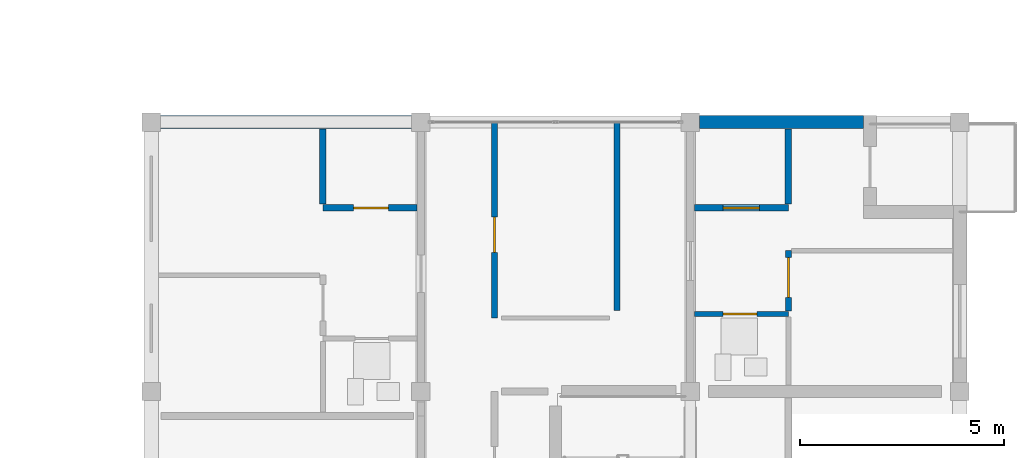
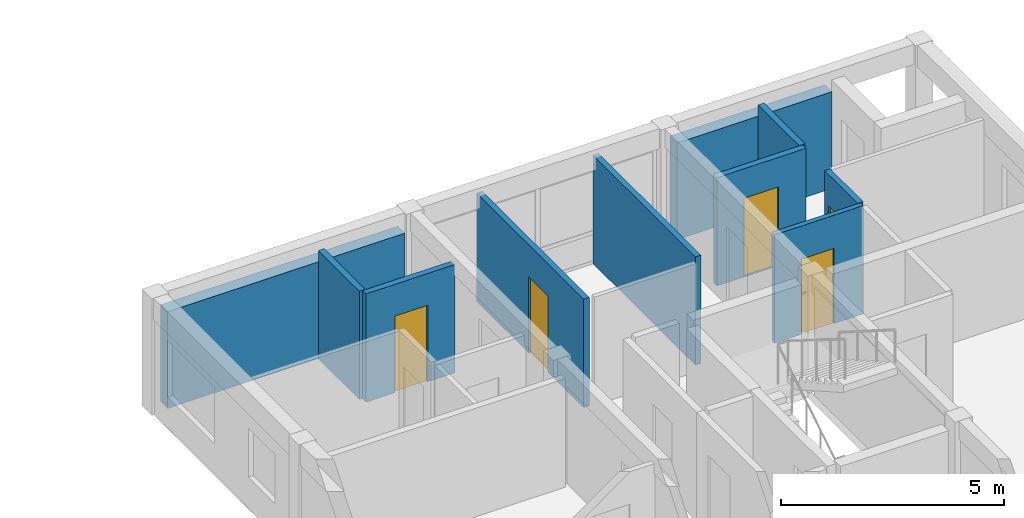
# One storey, part 33 of 53: 10 walls, 5 doors, 5 openings.
"""IFC4 building model written with IfcOpenShell, lengths in metres."""

from ifc_helpers import new_model, si_unit, direction, frame, frame_2d, origin, place, context, subcontext, project, spatial, rectangle, extrude, material, layer, layer_set, type_object, element, fill, save


model = new_model("IFC4")

# Units and contexts
model_context = context("Model", 3, precision=1e-05, world=origin(), true_north=direction((0.0, 1.0)))
body_context = subcontext(model_context, "Body", "Model", "MODEL_VIEW")
ifc_project = project(units=[si_unit("LENGTHUNIT", "METRE"), si_unit("AREAUNIT", "SQUARE_METRE"), si_unit("VOLUMEUNIT", "CUBIC_METRE"), si_unit("PLANEANGLEUNIT", "RADIAN"), si_unit("MASSUNIT", "GRAM", prefix="KILO")], contexts=[model_context])

# Site, building, storey
site_placement = place(None, origin())
site = spatial("IfcSite", under=ifc_project, at=site_placement, CompositionType="ELEMENT")
building_placement = place(site_placement, origin())
building = spatial("IfcBuilding", under=site, at=building_placement, Name="Kernevlak Ridge Housing Community", CompositionType="ELEMENT")
storey_placement = place(building_placement, frame((0.0, 0.0, 24.39990234375)))
storey = spatial("IfcBuildingStorey", under=building, at=storey_placement, Name="L07", CompositionType="ELEMENT", Elevation=24.39990234375)

# Walls
ifc_material_1 = material(Name="Concrete block masonry M10", Category="masonry")
ifc_layer_1 = layer(ifc_material_1, 0.320068359375, Name="Concrete block masonry M10")
ifc_layer_set_1 = layer_set([ifc_layer_1], Name="Concrete block masonry M10")
wall_type_1 = type_object("IfcWallType", Name="EW-02", PredefinedType="STANDARD", material=ifc_layer_set_1)
wall_1_placement = place(storey_placement, frame((126.22509765625, 42.0, 0.0), z_axis=(0.0, 0.0, 1.0), x_axis=(1.0, 0.0, 0.0)))
element("IfcWall", 1, at=wall_1_placement, inside=storey, type_object=wall_type_1, Name="Exterior wall EW-02 L07 640", PredefinedType="STANDARD", context=body_context, shape_type="SweptSolid", body=[
    extrude(rectangle(XDim=6.14990234375, YDim=0.320068359375, at=frame_2d((3.074951171875, 0.0))), origin(), (0.0, 0.0, 1.0), 2.650146484375),
])
wall_2_placement = place(storey_placement, frame((139.425048828125, 42.0, 0.0), z_axis=(0.0, 0.0, 1.0), x_axis=(1.0, 0.0, 0.0)))
element("IfcWall", 2, at=wall_2_placement, inside=storey, type_object=wall_type_1, Name="Exterior wall EW-02 L07 641", PredefinedType="STANDARD", context=body_context, shape_type="SweptSolid", body=[
    extrude(rectangle(XDim=4.014892578125, YDim=0.320068359375, at=frame_2d((2.00732421875, 0.0))), origin(), (0.0, 0.0, 1.0), 2.650146484375),
])

# Wall, opening, door
ifc_layer_2 = layer(ifc_material_1, 0.14501953125, Name="Concrete block masonry M10")
ifc_layer_set_2 = layer_set([ifc_layer_2], Name="Concrete block masonry M10")
wall_type_2 = type_object("IfcWallType", Name="PW-03", PredefinedType="PARTITIONING", material=ifc_layer_set_2)
wall_3_placement = place(storey_placement, frame((134.39990234375, 37.199951171875, 0.0), z_axis=(0.0, 0.0, 1.0), x_axis=(0.0, 1.0, 0.0)))
wall_3 = element("IfcWall", 3, at=wall_3_placement, inside=storey, type_object=wall_type_2, Name="Interior wall PW-03 WAL-INT-L07-2564", PredefinedType="PARTITIONING", context=body_context, shape_type="SweptSolid", body=[
    extrude(rectangle(XDim=4.800048828125, YDim=0.14501953125, at=frame_2d((2.39990234375, 0.0))), origin(), (0.0, 0.0, 1.0), 2.97021484375),
])
opening_1_placement = place(wall_3_placement, frame((1.60009765625, 0.0, 0.0)))
opening_1 = element("IfcOpeningElement", 4, at=opening_1_placement, cuts=wall_3, Name="Opening E299", PredefinedType="OPENING", context=body_context, shape_type="SweptSolid", body=[
    extrude(rectangle(XDim=0.8701171875, YDim=2.080078125, at=frame_2d((0.43505859375, 1.0400390625))), frame((0.0, 0.08251953125, 0.0), z_axis=(0.0, -1.0, 0.0), x_axis=(1.0, 0.0, 0.0)), (0.0, 0.0, 1.0), 0.1650390625),
])
ifc_material_2 = material(Name="Hardwood timber leaf", Category="wood")
door_type_1 = type_object("IfcDoorType", Name="DT-32", OperationType="NOTDEFINED", PredefinedType="DOOR", material=ifc_material_2)
door_1_placement = place(opening_1_placement, origin())
door_1 = element("IfcDoor", 5, at=door_1_placement, inside=storey, type_object=door_type_1, Name="Block C Laundry room door E299", OperationType="SINGLE_SWING_RIGHT", OverallHeight=2.080078125, OverallWidth=0.8701171875, PredefinedType="DOOR", context=body_context, shape_type="SweptSolid", body=[
    extrude(rectangle(XDim=0.8701171875, YDim=2.080078125, at=frame_2d((0.43505859375, 1.0400390625))), frame((0.0, 0.02490234375, 0.0), z_axis=(0.0, -1.0, 0.0), x_axis=(1.0, 0.0, 0.0)), (0.0, 0.0, 1.0), 0.050048828125),
])
fill(opening_1, door_1)

# Wall
wall_4_placement = place(storey_placement, frame((137.39990234375, 37.3798828125, 0.0), z_axis=(0.0, 0.0, 1.0), x_axis=(0.0, 1.0, 0.0)))
element("IfcWall", 6, at=wall_4_placement, inside=storey, type_object=wall_type_2, Name="Interior wall PW-03 WAL-INT-L07-2565", PredefinedType="PARTITIONING", context=body_context, shape_type="SweptSolid", body=[
    extrude(rectangle(XDim=4.60009765625, YDim=0.14501953125, at=frame_2d((2.300048828125, 0.0))), origin(), (0.0, 0.0, 1.0), 2.97021484375),
])

# Wall, opening, door
wall_5_placement = place(storey_placement, frame((141.60009765625, 37.37255859375, 0.0), z_axis=(0.0, 0.0, 1.0), x_axis=(0.0, 1.0, 0.0)))
wall_5 = element("IfcWall", 7, at=wall_5_placement, inside=storey, type_object=wall_type_2, Name="Interior wall PW-03 WAL-INT-L07-2605", PredefinedType="PARTITIONING", context=body_context, shape_type="SweptSolid", body=[
    extrude(rectangle(XDim=1.4775390625, YDim=0.14501953125, at=frame_2d((0.73876953125, 0.0))), origin(), (0.0, 0.0, 1.0), 2.97021484375),
])
opening_2_placement = place(wall_5_placement, frame((0.327392578125, 0.0, 0.0)))
opening_2 = element("IfcOpeningElement", 8, at=opening_2_placement, cuts=wall_5, Name="Opening E321", PredefinedType="OPENING", context=body_context, shape_type="SweptSolid", body=[
    extrude(rectangle(XDim=0.97998046875, YDim=2.1201171875, at=frame_2d((0.489990234375, 1.06005859375))), frame((0.0, 0.08251953125, 0.0), z_axis=(0.0, -1.0, 0.0), x_axis=(1.0, 0.0, 0.0)), (0.0, 0.0, 1.0), 0.1650390625),
])
door_type_2 = type_object("IfcDoorType", Name="DT-24", OperationType="NOTDEFINED", PredefinedType="DOOR", material=ifc_material_2)
door_2_placement = place(opening_2_placement, origin())
door_2 = element("IfcDoor", 9, at=door_2_placement, inside=storey, type_object=door_type_2, Name="Flat C0723 bedroom door E321", OperationType="SINGLE_SWING_RIGHT", OverallHeight=2.1201171875, OverallWidth=0.97998046875, PredefinedType="DOOR", context=body_context, shape_type="SweptSolid", body=[
    extrude(rectangle(XDim=0.97998046875, YDim=2.1201171875, at=frame_2d((0.489990234375, 1.06005859375))), frame((0.0, 0.02490234375, 0.0), z_axis=(0.0, -1.0, 0.0), x_axis=(1.0, 0.0, 0.0)), (0.0, 0.0, 1.0), 0.050048828125),
])
fill(opening_2, door_2)

ifc_material_3 = material(Name="Gypsum plasterboard EN 520", Category="gypsum")
ifc_layer_3 = layer(ifc_material_3, 0.125, Name="Gypsum plasterboard EN 520")
ifc_layer_set_3 = layer_set([ifc_layer_3], Name="Gypsum plasterboard EN 520")
wall_type_3 = type_object("IfcWallType", Name="PW-04", PredefinedType="PARTITIONING", material=ifc_layer_set_3)
wall_6_placement = place(storey_placement, frame((139.297607421875, 37.300048828125, 0.0), z_axis=(0.0, 0.0, 1.0), x_axis=(1.0, 0.0, 0.0)))
wall_6 = element("IfcWall", 10, at=wall_6_placement, inside=storey, type_object=wall_type_3, Name="Interior wall PW-04 WAL-INT-L07-2601", PredefinedType="PARTITIONING", context=body_context, shape_type="SweptSolid", body=[
    extrude(rectangle(XDim=2.302490234375, YDim=0.125, at=frame_2d((1.1513671875, 0.0))), origin(), (0.0, 0.0, 1.0), 2.97021484375),
])
opening_3_placement = place(wall_6_placement, frame((0.699951171875, 0.0, 0.0)))
opening_3 = element("IfcOpeningElement", 11, at=opening_3_placement, cuts=wall_6, Name="Opening E319", PredefinedType="OPENING", context=body_context, shape_type="SweptSolid", body=[
    extrude(rectangle(XDim=0.840087890625, YDim=2.06005859375, at=frame_2d((0.419921875, 1.030029296875))), frame((0.0, 0.072509765625, 0.0), z_axis=(0.0, -1.0, 0.0), x_axis=(1.0, 0.0, 0.0)), (0.0, 0.0, 1.0), 0.14501953125),
])
ifc_material_4 = material(Name="Hardwood timber moisture-resistant leaf", Category="wood")
door_type_3 = type_object("IfcDoorType", Name="DT-27", OperationType="NOTDEFINED", PredefinedType="DOOR", material=ifc_material_4)
door_3_placement = place(opening_3_placement, origin())
door_3 = element("IfcDoor", 12, at=door_3_placement, inside=storey, type_object=door_type_3, Name="Flat C0723 bathroom door E319", OperationType="SINGLE_SWING_RIGHT", OverallHeight=2.06005859375, OverallWidth=0.840087890625, PredefinedType="DOOR", context=body_context, shape_type="SweptSolid", body=[
    extrude(rectangle(XDim=0.840087890625, YDim=2.06005859375, at=frame_2d((0.419921875, 1.030029296875))), frame((0.0, 0.02490234375, 0.0), z_axis=(0.0, -1.0, 0.0), x_axis=(1.0, 0.0, 0.0)), (0.0, 0.0, 1.0), 0.050048828125),
])
fill(opening_3, door_3)

ifc_layer_4 = layer(ifc_material_3, 0.155029296875, Name="Gypsum plasterboard EN 520")
ifc_layer_set_4 = layer_set([ifc_layer_4], Name="Gypsum plasterboard EN 520")
wall_type_4 = type_object("IfcWallType", Name="PW-05", PredefinedType="PARTITIONING", material=ifc_layer_set_4)
wall_7_placement = place(storey_placement, frame((132.50244140625, 39.89990234375, 0.0), z_axis=(0.0, 0.0, 1.0), x_axis=(-1.0, 0.0, 0.0)))
wall_7 = element("IfcWall", 13, at=wall_7_placement, inside=storey, type_object=wall_type_4, Name="Interior wall PW-05 WAL-INT-L07-2583", PredefinedType="PARTITIONING", context=body_context, shape_type="SweptSolid", body=[
    extrude(rectangle(XDim=2.302490234375, YDim=0.155029296875, at=frame_2d((1.1513671875, 0.0))), origin(), (0.0, 0.0, 1.0), 2.97021484375),
])
opening_4_placement = place(wall_7_placement, frame((0.699951171875, 0.0, 0.0)))
opening_4 = element("IfcOpeningElement", 14, at=opening_4_placement, cuts=wall_7, Name="Opening E309", PredefinedType="OPENING", context=body_context, shape_type="SweptSolid", body=[
    extrude(rectangle(XDim=0.85009765625, YDim=2.10009765625, at=frame_2d((0.425048828125, 1.050048828125))), frame((0.0, 0.08740234375, 0.0), z_axis=(0.0, -1.0, 0.0), x_axis=(1.0, 0.0, 0.0)), (0.0, 0.0, 1.0), 0.175048828125),
])
door_type_4 = type_object("IfcDoorType", Name="DT-03", OperationType="NOTDEFINED", PredefinedType="DOOR", material=ifc_material_2)
door_4_placement = place(opening_4_placement, origin())
door_4 = element("IfcDoor", 15, at=door_4_placement, inside=storey, type_object=door_type_4, Name="Flat C0713 kitchen door E309", OperationType="SINGLE_SWING_RIGHT", OverallHeight=2.10009765625, OverallWidth=0.85009765625, PredefinedType="DOOR", context=body_context, shape_type="SweptSolid", body=[
    extrude(rectangle(XDim=0.85009765625, YDim=2.10009765625, at=frame_2d((0.425048828125, 1.050048828125))), frame((0.0, 0.02490234375, 0.0), z_axis=(0.0, -1.0, 0.0), x_axis=(1.0, 0.0, 0.0)), (0.0, 0.0, 1.0), 0.050048828125),
])
fill(opening_4, door_4)

# Wall
wall_8_placement = place(storey_placement, frame((130.199951171875, 39.987548828125, 0.0), z_axis=(0.0, 0.0, 1.0), x_axis=(0.0, 1.0, 0.0)))
element("IfcWall", 16, at=wall_8_placement, inside=storey, type_object=wall_type_4, Name="Interior wall PW-05 WAL-INT-L07-2584", PredefinedType="PARTITIONING", context=body_context, shape_type="SweptSolid", body=[
    extrude(rectangle(XDim=1.842529296875, YDim=0.155029296875, at=frame_2d((0.92138671875, 0.0))), origin(), (0.0, 0.0, 1.0), 2.97021484375),
])

# Wall, opening, door
wall_9_placement = place(storey_placement, frame((139.297607421875, 39.89990234375, 0.0), z_axis=(0.0, 0.0, 1.0), x_axis=(1.0, 0.0, 0.0)))
wall_9 = element("IfcWall", 17, at=wall_9_placement, inside=storey, type_object=wall_type_4, Name="Interior wall PW-05 WAL-INT-L07-2603", PredefinedType="PARTITIONING", context=body_context, shape_type="SweptSolid", body=[
    extrude(rectangle(XDim=2.302490234375, YDim=0.155029296875, at=frame_2d((1.1513671875, 0.0))), origin(), (0.0, 0.0, 1.0), 2.97021484375),
])
opening_5_placement = place(wall_9_placement, frame((0.699951171875, 0.0, 0.0)))
opening_5 = element("IfcOpeningElement", 18, at=opening_5_placement, cuts=wall_9, Name="Opening E320", PredefinedType="OPENING", context=body_context, shape_type="SweptSolid", body=[
    extrude(rectangle(XDim=0.89990234375, YDim=2.159912109375, at=frame_2d((0.449951171875, 1.080078125))), frame((0.0, 0.08740234375, 0.0), z_axis=(0.0, -1.0, 0.0), x_axis=(1.0, 0.0, 0.0)), (0.0, 0.0, 1.0), 0.175048828125),
])
door_type_5 = type_object("IfcDoorType", Name="DT-22", OperationType="NOTDEFINED", PredefinedType="DOOR", material=ifc_material_2)
door_5_placement = place(opening_5_placement, origin())
door_5 = element("IfcDoor", 19, at=door_5_placement, inside=storey, type_object=door_type_5, Name="Flat C0723 kitchen door E320", OperationType="SINGLE_SWING_LEFT", OverallHeight=2.159912109375, OverallWidth=0.89990234375, PredefinedType="DOOR", context=body_context, shape_type="SweptSolid", body=[
    extrude(rectangle(XDim=0.89990234375, YDim=2.159912109375, at=frame_2d((0.449951171875, 1.080078125))), frame((0.0, 0.02490234375, 0.0), z_axis=(0.0, -1.0, 0.0), x_axis=(1.0, 0.0, 0.0)), (0.0, 0.0, 1.0), 0.050048828125),
])
fill(opening_5, door_5)

# Wall
wall_10_placement = place(storey_placement, frame((141.60009765625, 39.987548828125, 0.0), z_axis=(0.0, 0.0, 1.0), x_axis=(0.0, 1.0, 0.0)))
element("IfcWall", 20, at=wall_10_placement, inside=storey, type_object=wall_type_4, Name="Interior wall PW-05 WAL-INT-L07-2604", PredefinedType="PARTITIONING", context=body_context, shape_type="SweptSolid", body=[
    extrude(rectangle(XDim=1.842529296875, YDim=0.155029296875, at=frame_2d((0.92138671875, 0.0))), origin(), (0.0, 0.0, 1.0), 2.97021484375),
])

save(model, "model.ifc")
